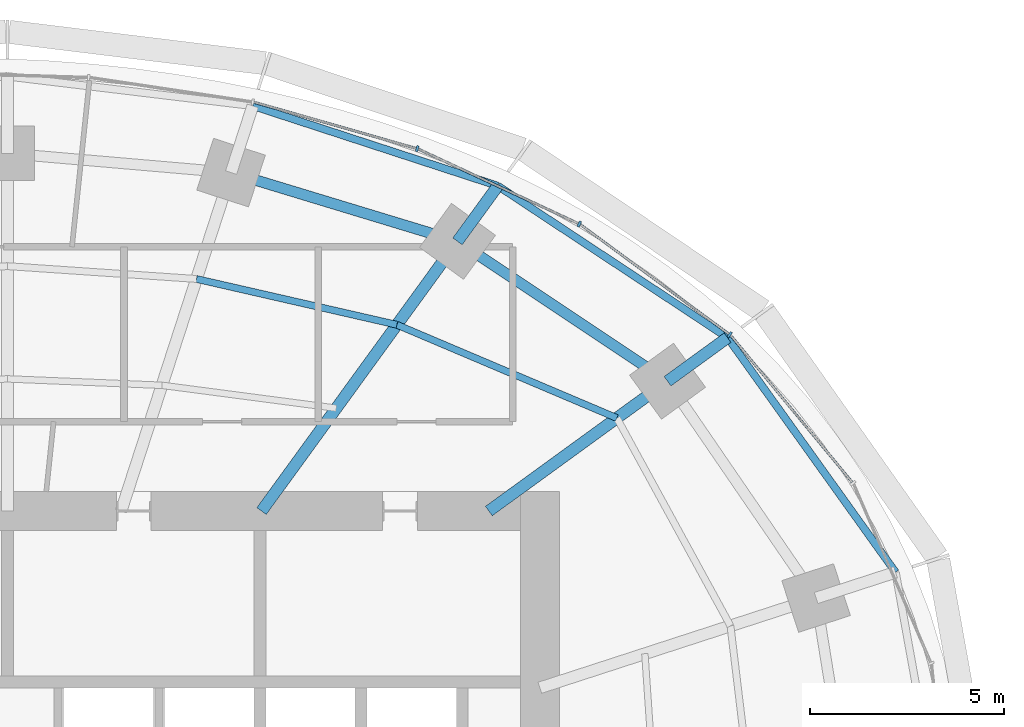
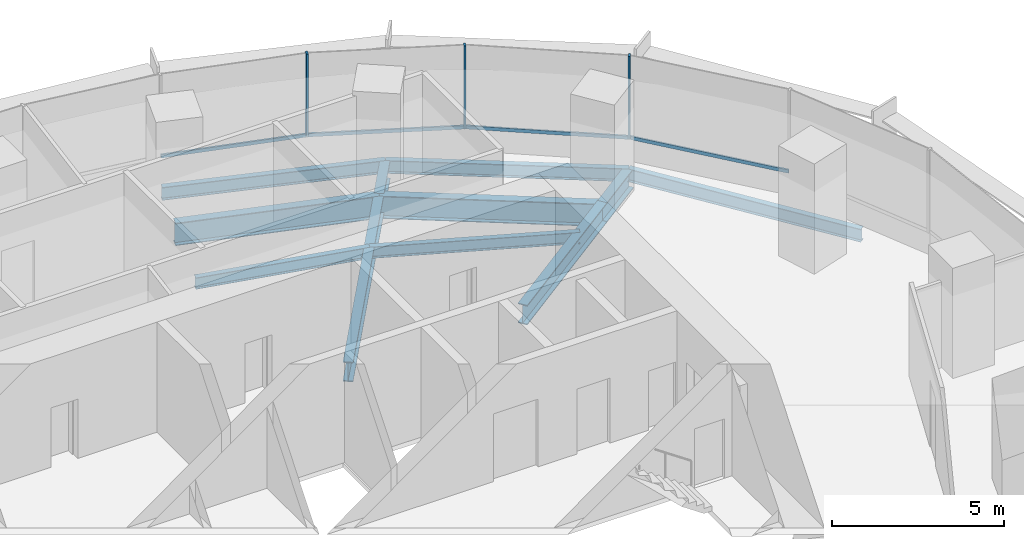
# One storey, part 8 of 14: 11 beams, 7 members, 2 elements without a shape of their own.
"""IFC4 building model written with IfcOpenShell, lengths in metres."""

from ifc_helpers import new_model, si_unit, direction, frame, origin, origin_2d, place, context, subcontext, project, spatial, rectangle, i_section, extrude, material, material_profile, profile_set, type_object, element, aggregate, save


model = new_model("IFC4")

# Units and contexts
model_context = context("Model", 3, precision=1e-05, world=origin(), true_north=direction((0.0, 1.0)))
body_context = subcontext(model_context, "Body", "Model", "MODEL_VIEW")
ifc_project = project(units=[si_unit("LENGTHUNIT", "METRE"), si_unit("AREAUNIT", "SQUARE_METRE"), si_unit("VOLUMEUNIT", "CUBIC_METRE"), si_unit("PLANEANGLEUNIT", "RADIAN"), si_unit("MASSUNIT", "GRAM", prefix="KILO")], contexts=[model_context])

# Site, building, storey
site_placement = place(None, origin())
site = spatial("IfcSite", under=ifc_project, at=site_placement, CompositionType="ELEMENT")
building_placement = place(site_placement, origin())
building = spatial("IfcBuilding", under=site, at=building_placement, Name="Marramba Exchange Tower", CompositionType="ELEMENT")
storey_placement = place(building_placement, frame((0.0, 0.0, 234.5)))
storey = spatial("IfcBuildingStorey", under=building, at=storey_placement, Name="L57", CompositionType="ELEMENT", Elevation=234.5)

# Beams
ifc_material_1 = material(Name="Steel AS/NZS 3679.2 grade 300", Category="steel")
ifc_material_profile_1 = material_profile(ifc_material_1, i_section(OverallWidth=0.300048828125, OverallDepth=0.699951171875, WebThickness=0.010009765625, FlangeThickness=0.031982421875, at=origin_2d()), Name="700WB173")
ifc_profile_set_1 = profile_set([ifc_material_profile_1], Name="Steel AS/NZS 3679.2 grade 300")
beam_type_1 = type_object("IfcBeamType", Name="Cantilever girder 700WB173", PredefinedType="BEAM", material=ifc_profile_set_1)
beam_1_placement = place(storey_placement, frame((16.98583984375, 12.3408203125, -0.510009765625), z_axis=(0.808962750283, 0.587859905636, 0.0), x_axis=(-0.587859905636, 0.808962750283, 0.0)))
element("IfcBeam", 1, at=beam_1_placement, inside=storey, type_object=beam_type_1, Name="Cantilever girder L57 TC03", PredefinedType="BEAM", context=body_context, shape_type="SweptSolid", body=[
    extrude(i_section(OverallWidth=0.300048828125, OverallDepth=0.699951171875, WebThickness=0.010009765625, FlangeThickness=0.031982421875, at=origin_2d()), origin(), (0.0, 0.0, 1.0), 1.9091796875),
])
beam_2_placement = place(storey_placement, frame((11.581298828125, 15.9404296875, -0.510009765625), z_axis=(0.587817766387, 0.808993370504, 0.0), x_axis=(-0.808993370504, 0.587817766387, 0.0)))
element("IfcBeam", 2, at=beam_2_placement, inside=storey, type_object=beam_type_1, Name="Cantilever girder L57 TC04", PredefinedType="BEAM", context=body_context, shape_type="SweptSolid", body=[
    extrude(i_section(OverallWidth=0.300048828125, OverallDepth=0.699951171875, WebThickness=0.010009765625, FlangeThickness=0.031982421875, at=origin_2d()), origin(), (0.0, 0.0, 1.0), 1.763916015625),
])
ifc_material_2 = material(Name="Steel AS/NZS 3679.1 grade 300", Category="steel")
ifc_material_profile_2 = material_profile(ifc_material_2, i_section(OverallWidth=0.177978515625, OverallDepth=0.406005859375, WebThickness=0.0078125, FlangeThickness=0.0126953125, FilletRadius=0.011474609375, at=origin_2d()), Name="410UB59.7")
ifc_profile_set_2 = profile_set([ifc_material_profile_2], Name="Steel AS/NZS 3679.1 grade 300")
beam_type_2 = type_object("IfcBeamType", Name="Floor joist 410UB59.7", PredefinedType="JOIST", material=ifc_profile_set_2)
beam_3_placement = place(storey_placement, frame((15.682373046875, 11.393798828125, -0.363037109375), z_axis=(-0.920674336375, 0.390331610738, 0.0), x_axis=(-0.390331610738, -0.920674336375, 0.0)))
element("IfcBeam", 3, at=beam_3_placement, inside=storey, type_object=beam_type_2, Name="Joist L57 bay 03 row 2", PredefinedType="JOIST", context=body_context, shape_type="SweptSolid", body=[
    extrude(i_section(OverallWidth=0.177978515625, OverallDepth=0.406005859375, WebThickness=0.0078125, FlangeThickness=0.0126953125, FilletRadius=0.011474609375, at=origin_2d()), origin(), (0.0, 0.0, 1.0), 6.1484375),
])
beam_4_placement = place(storey_placement, frame((10.021728515625, 13.793701171875, -0.363037109375), z_axis=(-0.974859652292, 0.222819788916, 0.0), x_axis=(-0.222819788916, -0.974859652292, 0.0)))
element("IfcBeam", 4, at=beam_4_placement, inside=storey, type_object=beam_type_2, Name="Joist L57 bay 04 row 2", PredefinedType="JOIST", context=body_context, shape_type="SweptSolid", body=[
    extrude(i_section(OverallWidth=0.177978515625, OverallDepth=0.406005859375, WebThickness=0.0078125, FlangeThickness=0.0126953125, FilletRadius=0.011474609375, at=origin_2d()), origin(), (0.0, 0.0, 1.0), 5.2900390625),
])

# Curtain wall, members
ifc_material_3 = material(Name="Aluminium framing, bronze anodised", Category="aluminium")
curtain_wall_type = type_object("IfcCurtainWallType", Name="Office ribbon curtain wall", PredefinedType="USERDEFINED", material=ifc_material_3)
curtain_wall_1_placement = place(storey_placement, origin())
curtain_wall_1 = element("IfcCurtainWall", 5, at=curtain_wall_1_placement, inside=storey, type_object=curtain_wall_type, Name="Curtain wall CW4 L57 F01-F05", ObjectType="RIBBON CURTAIN WALL", PredefinedType="USERDEFINED")
ifc_material_4 = material(Name="Aluminium mullion, bronze anodised", Category="aluminium")
ifc_material_profile_3 = material_profile(ifc_material_4, rectangle(XDim=0.159912109375, YDim=0.06005859375, at=origin_2d()), Name="CW4 mullion 60x160")
ifc_profile_set_3 = profile_set([ifc_material_profile_3], Name="Aluminium mullion, bronze anodised")
member_type_1 = type_object("IfcMemberType", Name="Office ribbon curtain wall mullion", PredefinedType="MULLION", material=ifc_profile_set_3)
member_1_placement = place(storey_placement, frame((18.587158203125, 13.53955078125, 0.800048828125), z_axis=(0.0, 0.0, 1.0), x_axis=(-0.593441317494, -0.804877259395, 0.0)))
member_1 = element("IfcMember", 6, at=member_1_placement, type_object=member_type_1, Name="CW4 mullion 1", PredefinedType="MULLION", context=body_context, shape_type="SweptSolid", body=[
    extrude(rectangle(XDim=0.159912109375, YDim=0.06005859375, at=origin_2d()), origin(), (0.0, 0.0, 1.0), 2.93994140625),
])
member_2_placement = place(storey_placement, frame((14.7158203125, 16.386474609375, 0.800048828125), z_axis=(0.0, 0.0, 1.0), x_axis=(-0.422133006189, -0.906533907301, 0.0)))
member_2 = element("IfcMember", 7, at=member_2_placement, type_object=member_type_1, Name="CW4 mullion 1", PredefinedType="MULLION", context=body_context, shape_type="SweptSolid", body=[
    extrude(rectangle(XDim=0.159912109375, YDim=0.06005859375, at=origin_2d()), origin(), (0.0, 0.0, 1.0), 2.93994140625),
])

# Curtain wall, member
curtain_wall_2_placement = place(storey_placement, origin())
curtain_wall_2 = element("IfcCurtainWall", 8, at=curtain_wall_2_placement, inside=storey, type_object=curtain_wall_type, Name="Curtain wall CW4 L57 F06-F10", ObjectType="RIBBON CURTAIN WALL", PredefinedType="USERDEFINED")
member_3_placement = place(storey_placement, frame((10.54541015625, 18.3232421875, 0.800048828125), z_axis=(0.0, 0.0, 1.0), x_axis=(-0.274248164656, -0.961658954195, 0.0)))
member_3 = element("IfcMember", 9, at=member_3_placement, type_object=member_type_1, Name="CW4 mullion 1", PredefinedType="MULLION", context=body_context, shape_type="SweptSolid", body=[
    extrude(rectangle(XDim=0.159912109375, YDim=0.06005859375, at=origin_2d()), origin(), (0.0, 0.0, 1.0), 2.93994140625),
])

# Member
ifc_material_5 = material(Name="Aluminium transom, bronze anodised", Category="aluminium")
ifc_material_profile_4 = material_profile(ifc_material_5, rectangle(XDim=0.06005859375, YDim=0.1201171875, at=origin_2d()), Name="CW4 transom 60x120")
ifc_profile_set_4 = profile_set([ifc_material_profile_4], Name="Aluminium transom, bronze anodised")
member_type_2 = type_object("IfcMemberType", Name="Office ribbon curtain wall transom", PredefinedType="USERDEFINED", material=ifc_profile_set_4)
member_4_placement = place(storey_placement, frame((21.73779296875, 9.74169921875, 0.830078125), z_axis=(-0.637375191043, 0.770553609973, 0.0), x_axis=(-0.770553609973, -0.637375191043, 0.0)))
member_4 = element("IfcMember", 10, at=member_4_placement, type_object=member_type_2, Name="CW4 sill transom", ObjectType="TRANSOM", PredefinedType="USERDEFINED", context=body_context, shape_type="SweptSolid", body=[
    extrude(rectangle(XDim=0.06005859375, YDim=0.1201171875, at=origin_2d()), origin(), (0.0, 0.0, 1.0), 4.905517578125),
])

member_5_placement = place(storey_placement, frame((18.56298828125, 13.557373046875, 0.830078125), z_axis=(-0.804874780157, 0.593444680039, 0.0), x_axis=(-0.593444680039, -0.804874780157, 0.0)))
member_5 = element("IfcMember", 11, at=member_5_placement, type_object=member_type_2, Name="CW4 sill transom", ObjectType="TRANSOM", PredefinedType="USERDEFINED", context=body_context, shape_type="SweptSolid", body=[
    extrude(rectangle(XDim=0.06005859375, YDim=0.1201171875, at=origin_2d()), origin(), (0.0, 0.0, 1.0), 4.745849609375),
])

member_6_placement = place(storey_placement, frame((14.688720703125, 16.399169921875, 0.830078125), z_axis=(-0.906548348139, 0.422101992989, 0.0), x_axis=(-0.422101992989, -0.906548348139, 0.0)))
member_6 = element("IfcMember", 12, at=member_6_placement, type_object=member_type_2, Name="CW4 sill transom", ObjectType="TRANSOM", PredefinedType="USERDEFINED", context=body_context, shape_type="SweptSolid", body=[
    extrude(rectangle(XDim=0.06005859375, YDim=0.1201171875, at=origin_2d()), origin(), (0.0, 0.0, 1.0), 4.53857421875),
])

aggregate(curtain_wall_1, [member_4, member_1, member_5, member_2, member_6])

member_7_placement = place(storey_placement, frame((10.5166015625, 18.33154296875, 0.830078125), z_axis=(-0.961661807825, 0.274238158125, 0.0), x_axis=(-0.274238158125, -0.961661807825, 0.0)))
member_7 = element("IfcMember", 13, at=member_7_placement, type_object=member_type_2, Name="CW4 sill transom", ObjectType="TRANSOM", PredefinedType="USERDEFINED", context=body_context, shape_type="SweptSolid", body=[
    extrude(rectangle(XDim=0.06005859375, YDim=0.1201171875, at=origin_2d()), origin(), (0.0, 0.0, 1.0), 4.340087890625),
])

aggregate(curtain_wall_2, [member_3, member_7])

# Beams
ifc_material_profile_5 = material_profile(ifc_material_1, i_section(OverallWidth=0.300048828125, OverallDepth=0.699951171875, WebThickness=0.010009765625, FlangeThickness=0.031982421875, at=origin_2d()), Name="700WB173")
ifc_profile_set_5 = profile_set([ifc_material_profile_5], Name="Steel AS/NZS 3679.2 grade 300")
beam_type_3 = type_object("IfcBeamType", Name="Radial girder 700WB173", PredefinedType="BEAM", material=ifc_profile_set_5)
beam_5_placement = place(storey_placement, frame((12.387451171875, 9.0, -0.510009765625), z_axis=(0.809025746925, 0.587773205252, 0.0), x_axis=(-0.587773205252, 0.809025746925, 0.0)))
element("IfcBeam", 14, at=beam_5_placement, inside=storey, type_object=beam_type_3, Name="Radial girder L57 TC03", PredefinedType="BEAM", context=body_context, shape_type="SweptSolid", body=[
    extrude(i_section(OverallWidth=0.300048828125, OverallDepth=0.699951171875, WebThickness=0.010009765625, FlangeThickness=0.031982421875, at=origin_2d()), origin(), (0.0, 0.0, 1.0), 5.683837890625),
])
beam_6_placement = place(storey_placement, frame((6.538818359375, 9.0, -0.510009765625), z_axis=(0.587782439969, 0.80901903764, 0.0), x_axis=(-0.80901903764, 0.587782439969, 0.0)))
element("IfcBeam", 15, at=beam_6_placement, inside=storey, type_object=beam_type_3, Name="Radial girder L57 TC04", PredefinedType="BEAM", context=body_context, shape_type="SweptSolid", body=[
    extrude(i_section(OverallWidth=0.300048828125, OverallDepth=0.699951171875, WebThickness=0.010009765625, FlangeThickness=0.031982421875, at=origin_2d()), origin(), (0.0, 0.0, 1.0), 8.578857421875),
])
ifc_material_profile_6 = material_profile(ifc_material_1, i_section(OverallWidth=0.27490234375, OverallDepth=0.800048828125, WebThickness=0.010009765625, FlangeThickness=0.02490234375, at=origin_2d()), Name="800WB168")
ifc_profile_set_6 = profile_set([ifc_material_profile_6], Name="Steel AS/NZS 3679.2 grade 300")
beam_type_4 = type_object("IfcBeamType", Name="Ring beam 800WB168", PredefinedType="SPANDREL", material=ifc_profile_set_6)
beam_7_placement = place(storey_placement, frame((16.98583984375, 12.3408203125, -0.56005859375), z_axis=(-0.832293151443, 0.554335737673, 0.0), x_axis=(-0.554335737673, -0.832293151443, 0.0)))
element("IfcBeam", 16, at=beam_7_placement, inside=storey, type_object=beam_type_4, Name="Ring beam L57 TC03-TC04", PredefinedType="SPANDREL", context=body_context, shape_type="SweptSolid", body=[
    extrude(i_section(OverallWidth=0.27490234375, OverallDepth=0.800048828125, WebThickness=0.010009765625, FlangeThickness=0.02490234375, at=origin_2d()), origin(), (0.0, 0.0, 1.0), 6.49365234375),
])
beam_8_placement = place(storey_placement, frame((11.581298828125, 15.9404296875, -0.56005859375), z_axis=(-0.956924542524, 0.290336735387, 0.0), x_axis=(-0.290336735387, -0.956924542524, 0.0)))
element("IfcBeam", 17, at=beam_8_placement, inside=storey, type_object=beam_type_4, Name="Ring beam L57 TC04-TC05", PredefinedType="SPANDREL", context=body_context, shape_type="SweptSolid", body=[
    extrude(i_section(OverallWidth=0.27490234375, OverallDepth=0.800048828125, WebThickness=0.010009765625, FlangeThickness=0.02490234375, at=origin_2d()), origin(), (0.0, 0.0, 1.0), 6.089599609375),
])
ifc_material_profile_7 = material_profile(ifc_material_2, i_section(OverallWidth=0.19091796875, OverallDepth=0.4599609375, WebThickness=0.010009765625, FlangeThickness=0.01611328125, FilletRadius=0.011474609375, at=origin_2d()), Name="460UB82.1")
ifc_profile_set_7 = profile_set([ifc_material_profile_7], Name="Steel AS/NZS 3679.1 grade 300")
beam_type_5 = type_object("IfcBeamType", Name="Slab edge beam 460UB82.1", PredefinedType="SPANDREL", material=ifc_profile_set_7)
beam_9_placement = place(storey_placement, frame((22.853515625, 7.425537109375, -0.389892578125), z_axis=(-0.582189457885, 0.813053156398, 0.0), x_axis=(-0.813053156398, -0.582189457885, 0.0)))
element("IfcBeam", 18, at=beam_9_placement, inside=storey, type_object=beam_type_5, Name="Slab edge beam L57 TC02-TC03", PredefinedType="SPANDREL", context=body_context, shape_type="SweptSolid", body=[
    extrude(i_section(OverallWidth=0.19091796875, OverallDepth=0.4599609375, WebThickness=0.010009765625, FlangeThickness=0.01611328125, FilletRadius=0.011474609375, at=origin_2d()), origin(), (0.0, 0.0, 1.0), 7.42578125),
])
beam_10_placement = place(storey_placement, frame((18.5302734375, 13.463134765625, -0.389892578125), z_axis=(-0.834459826117, 0.551068778463, 0.0), x_axis=(-0.551068778463, -0.834459826117, 0.0)))
element("IfcBeam", 19, at=beam_10_placement, inside=storey, type_object=beam_type_5, Name="Slab edge beam L57 TC03-TC04", PredefinedType="SPANDREL", context=body_context, shape_type="SweptSolid", body=[
    extrude(i_section(OverallWidth=0.19091796875, OverallDepth=0.4599609375, WebThickness=0.010009765625, FlangeThickness=0.01611328125, FilletRadius=0.011474609375, at=origin_2d()), origin(), (0.0, 0.0, 1.0), 7.0849609375),
])
beam_11_placement = place(storey_placement, frame((12.6181640625, 17.367431640625, -0.389892578125), z_axis=(-0.950608559101, 0.310392279809, 0.0), x_axis=(-0.310392279809, -0.950608559101, 0.0)))
element("IfcBeam", 20, at=beam_11_placement, inside=storey, type_object=beam_type_5, Name="Slab edge beam L57 TC04-TC05", PredefinedType="SPANDREL", context=body_context, shape_type="SweptSolid", body=[
    extrude(i_section(OverallWidth=0.19091796875, OverallDepth=0.4599609375, WebThickness=0.010009765625, FlangeThickness=0.01611328125, FilletRadius=0.011474609375, at=origin_2d()), origin(), (0.0, 0.0, 1.0), 6.6337890625),
])

save(model, "model.ifc")
